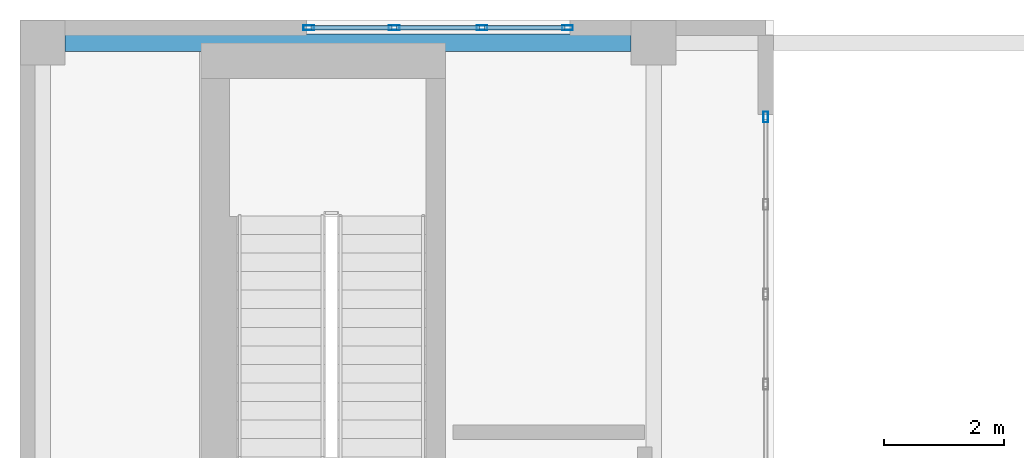
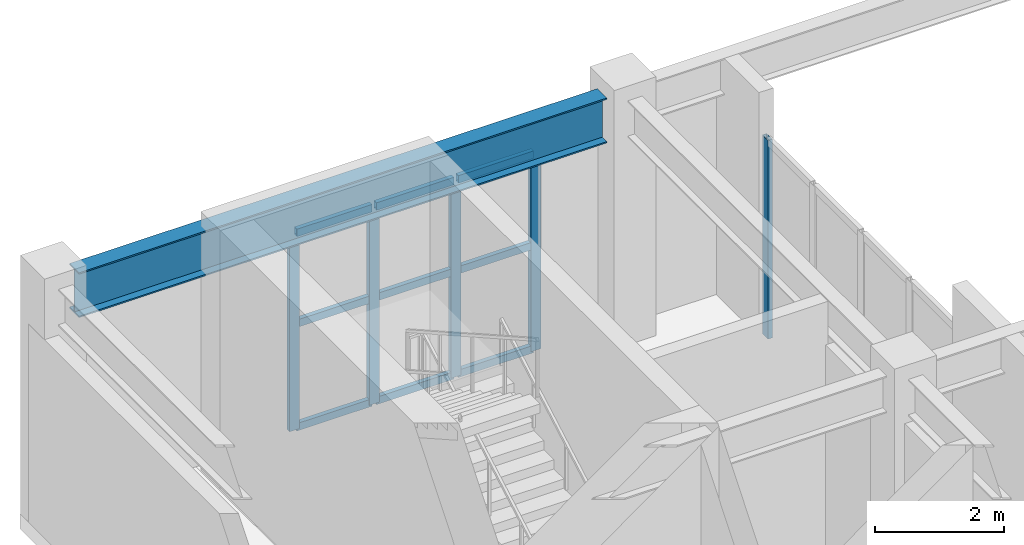
# One storey, part 7 of 11: 14 members, 1 beam, 2 elements without a shape of their own.
"""IFC4 building model written with IfcOpenShell, lengths in metres."""

import ifcopenshell
import ifcopenshell.guid

model = None  # the IFC model being written
_history = None  # IfcOwnerHistory: only IFC2X3 demands one
_inside = {}  # id of a spatial element -> (the spatial element, [elements in it])
_under = {}  # id of a project, library or spatial element -> (it, [spatial elements below it])
_declared = {}  # id of a project -> (the project, [libraries it declares])
_typed = {}  # id of a type object -> (the type object, [elements of that type])
_made_of = {}  # id of a material, layer set ... -> (it, [elements and type objects made of it])


def new_model(schema):
    """Start an empty IFC model of exactly this schema.

    Asked for "IFC4X3", IfcOpenShell would pick the latest addendum, in which some entities
    have other attributes; the version numbers below select the first issue.
    IFC2X3 requires an IfcOwnerHistory on every rooted entity: one is made here for all.
    """
    global model, _history
    if schema == "IFC4X3":
        model = ifcopenshell.file(schema_version=(4, 3, 0, 0))
    else:
        model = ifcopenshell.file(schema=schema)
    _inside.clear()
    _under.clear()
    _declared.clear()
    _typed.clear()
    _made_of.clear()
    _history = None
    if model.schema == "IFC2X3":
        org = make("IfcOrganization", Name="unknown")
        user = make(
            "IfcPersonAndOrganization",
            ThePerson=make("IfcPerson", FamilyName="unknown"),
            TheOrganization=org,
        )
        app = make(
            "IfcApplication",
            ApplicationDeveloper=org,
            Version="unknown",
            ApplicationFullName="unknown",
            ApplicationIdentifier="unknown",
        )
        _history = make(
            "IfcOwnerHistory",
            OwningUser=user,
            OwningApplication=app,
            ChangeAction="ADDED",
            CreationDate=0,
        )
    return model


def make(cls, **values):
    """One entity of the class cls with the attributes given. An attribute that is None is left unset."""
    return model.create_entity(
        cls, **{name: value for name, value in values.items() if value is not None}
    )


def rooted(cls, **values):
    """An entity with a GlobalId (a new one), such as an element, a storey or a relation."""
    return make(cls, GlobalId=ifcopenshell.guid.new(), OwnerHistory=_history, **values)


def si_unit(unit_type, name, prefix=None):
    """IfcSIUnit, for example si_unit("LENGTHUNIT", "METRE", prefix="MILLI")."""
    return make("IfcSIUnit", UnitType=unit_type, Prefix=prefix, Name=name)


def assignment(units):
    """IfcUnitAssignment: the units of a project."""
    return None if units is None else make("IfcUnitAssignment", Units=units)


def point(xyz):
    """IfcCartesianPoint."""
    return None if xyz is None else make("IfcCartesianPoint", Coordinates=xyz)


def direction(xyz):
    """IfcDirection."""
    return None if xyz is None else make("IfcDirection", DirectionRatios=xyz)


def frame(location, z_axis=None, x_axis=None):
    """IfcAxis2Placement3D, a coordinate frame: its origin and axes. An axis left out is left unset."""
    return make(
        "IfcAxis2Placement3D",
        Location=point(location),
        Axis=direction(z_axis),
        RefDirection=direction(x_axis),
    )


def frame_2d(location, x_axis=None):
    """IfcAxis2Placement2D, a coordinate frame in the plane: its origin and x axis."""
    return make(
        "IfcAxis2Placement2D", Location=point(location), RefDirection=direction(x_axis)
    )


def origin():
    """The frame at (0, 0, 0) with its axes left unset."""
    return frame((0.0, 0.0, 0.0))


def origin_2d():
    """The frame at (0, 0) in the plane with its x axis left unset."""
    return frame_2d((0.0, 0.0))


def place(relative_to, where):
    """IfcLocalPlacement: puts the frame where relative to a parent placement (None: the world)."""
    return make(
        "IfcLocalPlacement", PlacementRelTo=relative_to, RelativePlacement=where
    )


def context(
    kind, dimensions, precision=None, world=None, true_north=None, identifier=None
):
    """IfcGeometricRepresentationContext, for example the 3D "Model" context."""
    return make(
        "IfcGeometricRepresentationContext",
        ContextIdentifier=identifier,
        ContextType=kind,
        CoordinateSpaceDimension=dimensions,
        Precision=precision,
        WorldCoordinateSystem=world,
        TrueNorth=true_north,
    )


def subcontext(parent, identifier, kind, view, scale=None):
    """IfcGeometricRepresentationSubContext, for example "Body" below "Model"."""
    return make(
        "IfcGeometricRepresentationSubContext",
        ContextIdentifier=identifier,
        ContextType=kind,
        ParentContext=parent,
        TargetScale=scale,
        TargetView=view,
    )


def project(units=None, contexts=None):
    """IfcProject with its units and contexts."""
    return rooted(
        "IfcProject",
        Name="project",
        RepresentationContexts=contexts,
        UnitsInContext=assignment(units),
    )


def spatial(cls, under=None, at=None, **own):
    """A site, building, storey or space (cls), placed at a placement, below another one or the project."""
    s = rooted(cls, ObjectPlacement=at, **own)
    if under is not None:
        _under.setdefault(under.id(), (under, []))[1].append(s)
    return s


def profile(cls, at=None, kind="AREA", **sizes):
    """A parametric profile (cls). Its sizes go by their IFC names, for example OverallWidth=200.0."""
    return make(cls, ProfileType=kind, Position=at, **sizes)


def hollow_rectangle(**sizes):
    """IfcRectangleHollowProfileDef."""
    return profile("IfcRectangleHollowProfileDef", **sizes)


def i_section(**sizes):
    """IfcIShapeProfileDef."""
    return profile("IfcIShapeProfileDef", **sizes)


def extrude(swept, where, along, depth):
    """IfcExtrudedAreaSolid: the profile swept, set in the frame where, extruded along a direction by depth."""
    return make(
        "IfcExtrudedAreaSolid",
        SweptArea=swept,
        Position=where,
        ExtrudedDirection=direction(along),
        Depth=depth,
    )


def shape(context_of_items, identifier, shape_type, items):
    """IfcShapeRepresentation: the items that make up one representation, for example the "Body"."""
    return make(
        "IfcShapeRepresentation",
        ContextOfItems=context_of_items,
        RepresentationIdentifier=identifier,
        RepresentationType=shape_type,
        Items=items,
    )


def material(Name=None, Category=None):
    """IfcMaterial."""
    return make("IfcMaterial", Name=Name, Category=Category)


def layer(
    of_material, thickness, ventilated=None, Name=None, Category=None, Priority=None
):
    """IfcMaterialLayer: one layer of a wall or slab, of a material (None: an air gap)."""
    return make(
        "IfcMaterialLayer",
        Material=of_material,
        LayerThickness=thickness,
        IsVentilated=ventilated,
        Name=Name,
        Category=Category,
        Priority=Priority,
    )


def layer_set(layers, Name=None):
    """IfcMaterialLayerSet."""
    return make("IfcMaterialLayerSet", MaterialLayers=layers, LayerSetName=Name)


def material_profile(
    of_material, cross_section, Name=None, Category=None, Priority=None
):
    """IfcMaterialProfile: a cross section and its material."""
    return make(
        "IfcMaterialProfile",
        Name=Name,
        Material=of_material,
        Profile=cross_section,
        Priority=Priority,
        Category=Category,
    )


def profile_set(profiles, Name=None, composite=None):
    """IfcMaterialProfileSet."""
    return make(
        "IfcMaterialProfileSet",
        Name=Name,
        MaterialProfiles=profiles,
        CompositeProfile=composite,
    )


def made_of(thing, what):
    """Note that an element or type object is made of a material, layer set ...; save() writes the relation."""
    if what is not None:
        _made_of.setdefault(what.id(), (what, []))[1].append(thing)
    return thing


def type_object(cls, material=None, **own):
    """A type object (cls), such as IfcWallType, which elements share."""
    return made_of(rooted(cls, **own), material)


def element(
    cls,
    number,
    at=None,
    inside=None,
    cuts=None,
    type_object=None,
    material=None,
    context=None,
    identifier="Body",
    shape_type=None,
    held_by="IfcProductDefinitionShape",
    body=None,
    shapes=None,
    **own,
):
    """One element of the class cls, such as IfcWall. Its Tag is "e" and its number.

    at: its placement. inside: the storey or other place that contains it. cuts: it is an
    opening in that element (IfcRelVoidsElement). A single representation is given by context,
    identifier, shape_type and body (its items); several are given by shapes. held_by: the class
    of the entity that holds the representations. save() writes the other relations.
    """
    e = rooted(cls, Tag="e%d" % number, ObjectPlacement=at, **own)
    if body is not None:
        shapes = [shape(context, identifier, shape_type, body)]
    if shapes is not None:
        e.Representation = make(held_by, Representations=shapes)
    if inside is not None:
        _inside.setdefault(inside.id(), (inside, []))[1].append(e)
    if cuts is not None:
        rooted(
            "IfcRelVoidsElement", RelatingBuildingElement=cuts, RelatedOpeningElement=e
        )
    if type_object is not None:
        _typed.setdefault(type_object.id(), (type_object, []))[1].append(e)
    return made_of(e, material)


def aggregate(whole, parts):
    """IfcRelAggregates: a whole, such as a stair, and the parts it consists of."""
    return rooted("IfcRelAggregates", RelatingObject=whole, RelatedObjects=parts)


def save(model, path):
    """Write the relations noted so far, then the file.

    IfcRelAggregates (storeys below a building ...), IfcRelContainedInSpatialStructure (elements
    in a storey), IfcRelDefinesByType, IfcRelAssociatesMaterial and IfcRelDeclares: one each for
    every whole, place, type object, material and project.
    """
    for whole, parts in _under.values():
        aggregate(whole, parts)
    for where, things in _inside.values():
        rooted(
            "IfcRelContainedInSpatialStructure",
            RelatedElements=things,
            RelatingStructure=where,
        )
    for kind, things in _typed.values():
        rooted("IfcRelDefinesByType", RelatedObjects=things, RelatingType=kind)
    for what, things in _made_of.values():
        rooted("IfcRelAssociatesMaterial", RelatedObjects=things, RelatingMaterial=what)
    for by, libraries in _declared.values():
        rooted("IfcRelDeclares", RelatingContext=by, RelatedDefinitions=libraries)
    model.write(path)


model = new_model("IFC4")

# Units and contexts
model_context = context("Model", 3, precision=1e-05, world=origin(), true_north=direction((0.0, 1.0)))
body_context = subcontext(model_context, "Body", "Model", "MODEL_VIEW")
ifc_project = project(units=[si_unit("LENGTHUNIT", "METRE"), si_unit("AREAUNIT", "SQUARE_METRE"), si_unit("VOLUMEUNIT", "CUBIC_METRE"), si_unit("PLANEANGLEUNIT", "RADIAN"), si_unit("MASSUNIT", "GRAM", prefix="KILO")], contexts=[model_context])

# Site, building, storey
site_placement = place(None, origin())
site = spatial("IfcSite", under=ifc_project, at=site_placement, CompositionType="ELEMENT")
building_placement = place(site_placement, origin())
building = spatial("IfcBuilding", under=site, at=building_placement, Name="Solanera Arch Residences", CompositionType="ELEMENT")
storey_placement = place(building_placement, frame((0.0, 0.0, 282.97998046875)))
storey = spatial("IfcBuildingStorey", under=building, at=storey_placement, Name="L81", CompositionType="ELEMENT", Elevation=282.97998046875)

# Curtain wall, members
ifc_material_1 = material(Name="Anodised Aluminium Alloy 6063-T6", Category="aluminium")
ifc_layer_1 = layer(ifc_material_1, 0.199951171875)
ifc_layer_set_1 = layer_set([ifc_layer_1], Name="Anodised Aluminium Alloy 6063-T6")
curtain_wall_type_1 = type_object("IfcCurtainWallType", Name="CW-5 Observatory High-Wind Curtain Wall", PredefinedType="USERDEFINED", material=ifc_layer_set_1)
curtain_wall_1_placement = place(storey_placement, origin())
curtain_wall_1 = element("IfcCurtainWall", 1, at=curtain_wall_1_placement, inside=storey, type_object=curtain_wall_type_1, Name="L81 Crown North Observatory Curtain Wall", ObjectType="CURTAIN_WALL", PredefinedType="USERDEFINED")
ifc_material_2 = material(Name="Anodised Aluminium Alloy 6063-T6", Category="aluminium")
ifc_material_profile_1 = material_profile(ifc_material_2, hollow_rectangle(XDim=0.080078125, YDim=0.179931640625, WallThickness=0.00390625, at=origin_2d()))
ifc_profile_set_1 = profile_set([ifc_material_profile_1], Name="Anodised Aluminium Alloy 6063-T6")
member_type_1 = type_object("IfcMemberType", Name="Curtain Wall Mullion ALU-MUL-80X180", PredefinedType="MULLION", material=ifc_profile_set_1)
member_1_placement = place(storey_placement, frame((15.0400390625, 39.64990234375, 0.0), z_axis=(0.0, 0.0, 1.0), x_axis=(0.0, 1.0, 0.0)))
member_1 = element("IfcMember", 2, at=member_1_placement, type_object=member_type_1, Name="CW-5 mullion 1", PredefinedType="MULLION", context=body_context, shape_type="SweptSolid", body=[
    extrude(hollow_rectangle(XDim=0.080078125, YDim=0.179931640625, WallThickness=0.00390625, at=origin_2d()), origin(), (0.0, 0.0, 1.0), 3.760009765625),
])
member_2_placement = place(storey_placement, frame((16.466552734375, 39.64990234375, 0.0), z_axis=(0.0, 0.0, 1.0), x_axis=(0.0, 1.0, 0.0)))
member_2 = element("IfcMember", 3, at=member_2_placement, type_object=member_type_1, Name="CW-5 mullion 2", PredefinedType="MULLION", context=body_context, shape_type="SweptSolid", body=[
    extrude(hollow_rectangle(XDim=0.080078125, YDim=0.179931640625, WallThickness=0.00390625, at=origin_2d()), origin(), (0.0, 0.0, 1.0), 3.760009765625),
])
member_3_placement = place(storey_placement, frame((17.933349609375, 39.64990234375, 0.0), z_axis=(0.0, 0.0, 1.0), x_axis=(0.0, 1.0, 0.0)))
member_3 = element("IfcMember", 4, at=member_3_placement, type_object=member_type_1, Name="CW-5 mullion 3", PredefinedType="MULLION", context=body_context, shape_type="SweptSolid", body=[
    extrude(hollow_rectangle(XDim=0.080078125, YDim=0.179931640625, WallThickness=0.00390625, at=origin_2d()), origin(), (0.0, 0.0, 1.0), 3.760009765625),
])
member_4_placement = place(storey_placement, frame((19.360107421875, 39.64990234375, 0.0), z_axis=(0.0, 0.0, 1.0), x_axis=(0.0, 1.0, 0.0)))
member_4 = element("IfcMember", 5, at=member_4_placement, type_object=member_type_1, Name="CW-5 mullion 4", PredefinedType="MULLION", context=body_context, shape_type="SweptSolid", body=[
    extrude(hollow_rectangle(XDim=0.080078125, YDim=0.179931640625, WallThickness=0.00390625, at=origin_2d()), origin(), (0.0, 0.0, 1.0), 3.760009765625),
])

# Curtain wall, member
ifc_material_3 = material(Name="Anodised Aluminium Alloy 6063-T6", Category="aluminium")
ifc_layer_2 = layer(ifc_material_3, 0.179931640625)
ifc_layer_set_2 = layer_set([ifc_layer_2], Name="Anodised Aluminium Alloy 6063-T6")
curtain_wall_type_2 = type_object("IfcCurtainWallType", Name="CW-6 Split-Top Crown Lantern Curtain Wall", PredefinedType="USERDEFINED", material=ifc_layer_set_2)
curtain_wall_2_placement = place(storey_placement, origin())
curtain_wall_2 = element("IfcCurtainWall", 6, at=curtain_wall_2_placement, inside=storey, type_object=curtain_wall_type_2, Name="L81 W Crown Cleft Lantern Curtain Wall", ObjectType="CURTAIN_WALL", PredefinedType="USERDEFINED")
member_5_placement = place(storey_placement, frame((22.669921875, 38.159912109375, 0.0), z_axis=(0.0, 0.0, 1.0), x_axis=(-1.0, 0.0, 0.0)))
member_5 = element("IfcMember", 7, at=member_5_placement, type_object=member_type_1, Name="CW-6 mullion 5", PredefinedType="MULLION", context=body_context, shape_type="SweptSolid", body=[
    extrude(hollow_rectangle(XDim=0.080078125, YDim=0.179931640625, WallThickness=0.00390625, at=origin_2d()), origin(), (0.0, 0.0, 1.0), 3.760009765625),
])
aggregate(curtain_wall_2, [member_5])

# Member
ifc_material_4 = material(Name="Anodised Aluminium Alloy 6063-T6", Category="aluminium")
ifc_material_profile_2 = material_profile(ifc_material_4, hollow_rectangle(XDim=0.080078125, YDim=0.139892578125, WallThickness=0.00390625, at=origin_2d()))
ifc_profile_set_2 = profile_set([ifc_material_profile_2], Name="Anodised Aluminium Alloy 6063-T6")
member_type_2 = type_object("IfcMemberType", Name="Curtain Wall Transom ALU-TRN-80X140", PredefinedType="USERDEFINED", material=ifc_profile_set_2)
member_6_placement = place(storey_placement, frame((15.080078125, 39.64990234375, 0.0400390625), z_axis=(1.0, 0.0, 0.0), x_axis=(0.0, 1.0, 0.0)))
member_6 = element("IfcMember", 8, at=member_6_placement, type_object=member_type_2, Name="CW-5 transom 1.1", ObjectType="TRANSOM", PredefinedType="USERDEFINED", context=body_context, shape_type="SweptSolid", body=[
    extrude(hollow_rectangle(XDim=0.080078125, YDim=0.139892578125, WallThickness=0.00390625, at=origin_2d()), origin(), (0.0, 0.0, 1.0), 1.3466796875),
])

member_7_placement = place(storey_placement, frame((15.080078125, 39.64990234375, 2.0), z_axis=(1.0, 0.0, 0.0), x_axis=(0.0, 1.0, 0.0)))
member_7 = element("IfcMember", 9, at=member_7_placement, type_object=member_type_2, Name="CW-5 transom 1.2", ObjectType="TRANSOM", PredefinedType="USERDEFINED", context=body_context, shape_type="SweptSolid", body=[
    extrude(hollow_rectangle(XDim=0.080078125, YDim=0.139892578125, WallThickness=0.00390625, at=origin_2d()), origin(), (0.0, 0.0, 1.0), 1.3466796875),
])

member_8_placement = place(storey_placement, frame((15.080078125, 39.64990234375, 3.719970703125), z_axis=(1.0, 0.0, 0.0), x_axis=(0.0, 1.0, 0.0)))
member_8 = element("IfcMember", 10, at=member_8_placement, type_object=member_type_2, Name="CW-5 transom 1.3", ObjectType="TRANSOM", PredefinedType="USERDEFINED", context=body_context, shape_type="SweptSolid", body=[
    extrude(hollow_rectangle(XDim=0.080078125, YDim=0.139892578125, WallThickness=0.00390625, at=origin_2d()), origin(), (0.0, 0.0, 1.0), 1.3466796875),
])

member_9_placement = place(storey_placement, frame((16.506591796875, 39.64990234375, 0.0400390625), z_axis=(1.0, 0.0, 0.0), x_axis=(0.0, 1.0, 0.0)))
member_9 = element("IfcMember", 11, at=member_9_placement, type_object=member_type_2, Name="CW-5 transom 2.1", ObjectType="TRANSOM", PredefinedType="USERDEFINED", context=body_context, shape_type="SweptSolid", body=[
    extrude(hollow_rectangle(XDim=0.080078125, YDim=0.139892578125, WallThickness=0.00390625, at=origin_2d()), origin(), (0.0, 0.0, 1.0), 1.38671875),
])

member_10_placement = place(storey_placement, frame((16.506591796875, 39.64990234375, 2.0), z_axis=(1.0, 0.0, 0.0), x_axis=(0.0, 1.0, 0.0)))
member_10 = element("IfcMember", 12, at=member_10_placement, type_object=member_type_2, Name="CW-5 transom 2.2", ObjectType="TRANSOM", PredefinedType="USERDEFINED", context=body_context, shape_type="SweptSolid", body=[
    extrude(hollow_rectangle(XDim=0.080078125, YDim=0.139892578125, WallThickness=0.00390625, at=origin_2d()), origin(), (0.0, 0.0, 1.0), 1.38671875),
])

member_11_placement = place(storey_placement, frame((16.506591796875, 39.64990234375, 3.719970703125), z_axis=(1.0, 0.0, 0.0), x_axis=(0.0, 1.0, 0.0)))
member_11 = element("IfcMember", 13, at=member_11_placement, type_object=member_type_2, Name="CW-5 transom 2.3", ObjectType="TRANSOM", PredefinedType="USERDEFINED", context=body_context, shape_type="SweptSolid", body=[
    extrude(hollow_rectangle(XDim=0.080078125, YDim=0.139892578125, WallThickness=0.00390625, at=origin_2d()), origin(), (0.0, 0.0, 1.0), 1.38671875),
])

member_12_placement = place(storey_placement, frame((17.973388671875, 39.64990234375, 0.0400390625), z_axis=(1.0, 0.0, 0.0), x_axis=(0.0, 1.0, 0.0)))
member_12 = element("IfcMember", 14, at=member_12_placement, type_object=member_type_2, Name="CW-5 transom 3.1", ObjectType="TRANSOM", PredefinedType="USERDEFINED", context=body_context, shape_type="SweptSolid", body=[
    extrude(hollow_rectangle(XDim=0.080078125, YDim=0.139892578125, WallThickness=0.00390625, at=origin_2d()), origin(), (0.0, 0.0, 1.0), 1.3466796875),
])

member_13_placement = place(storey_placement, frame((17.973388671875, 39.64990234375, 2.0), z_axis=(1.0, 0.0, 0.0), x_axis=(0.0, 1.0, 0.0)))
member_13 = element("IfcMember", 15, at=member_13_placement, type_object=member_type_2, Name="CW-5 transom 3.2", ObjectType="TRANSOM", PredefinedType="USERDEFINED", context=body_context, shape_type="SweptSolid", body=[
    extrude(hollow_rectangle(XDim=0.080078125, YDim=0.139892578125, WallThickness=0.00390625, at=origin_2d()), origin(), (0.0, 0.0, 1.0), 1.3466796875),
])

member_14_placement = place(storey_placement, frame((17.973388671875, 39.64990234375, 3.719970703125), z_axis=(1.0, 0.0, 0.0), x_axis=(0.0, 1.0, 0.0)))
member_14 = element("IfcMember", 16, at=member_14_placement, type_object=member_type_2, Name="CW-5 transom 3.3", ObjectType="TRANSOM", PredefinedType="USERDEFINED", context=body_context, shape_type="SweptSolid", body=[
    extrude(hollow_rectangle(XDim=0.080078125, YDim=0.139892578125, WallThickness=0.00390625, at=origin_2d()), origin(), (0.0, 0.0, 1.0), 1.3466796875),
])

aggregate(curtain_wall_1, [member_1, member_2, member_3, member_4, member_6, member_7, member_8, member_9, member_10, member_11, member_12, member_13, member_14])

# Beam
ifc_material_5 = material(Name="Steel S355 (ASTM A992 / A572 Grade 50)", Category="steel")
ifc_material_profile_3 = material_profile(ifc_material_5, i_section(OverallWidth=0.2939453125, OverallDepth=0.85107421875, WebThickness=0.01611328125, FlangeThickness=0.02685546875, at=origin_2d()))
ifc_profile_set_3 = profile_set([ifc_material_profile_3], Name="Steel S355 (ASTM A992 / A572 Grade 50)")
beam_type = type_object("IfcBeamType", Name="Primary Beam W840X226", PredefinedType="BEAM", material=ifc_profile_set_3)
beam_placement = place(storey_placement, frame((10.97509765625, 39.39990234375, 4.195068359375), z_axis=(1.0, 0.0, 0.0), x_axis=(0.0, 1.0, 0.0)))
element("IfcBeam", 17, at=beam_placement, inside=storey, type_object=beam_type, Name="BM-L81-CR-WN", PredefinedType="BEAM", context=body_context, shape_type="SweptSolid", body=[
    extrude(i_section(OverallWidth=0.2939453125, OverallDepth=0.85107421875, WebThickness=0.01611328125, FlangeThickness=0.02685546875, at=origin_2d()), origin(), (0.0, 0.0, 1.0), 9.449951171875),
])

save(model, "model.ifc")
